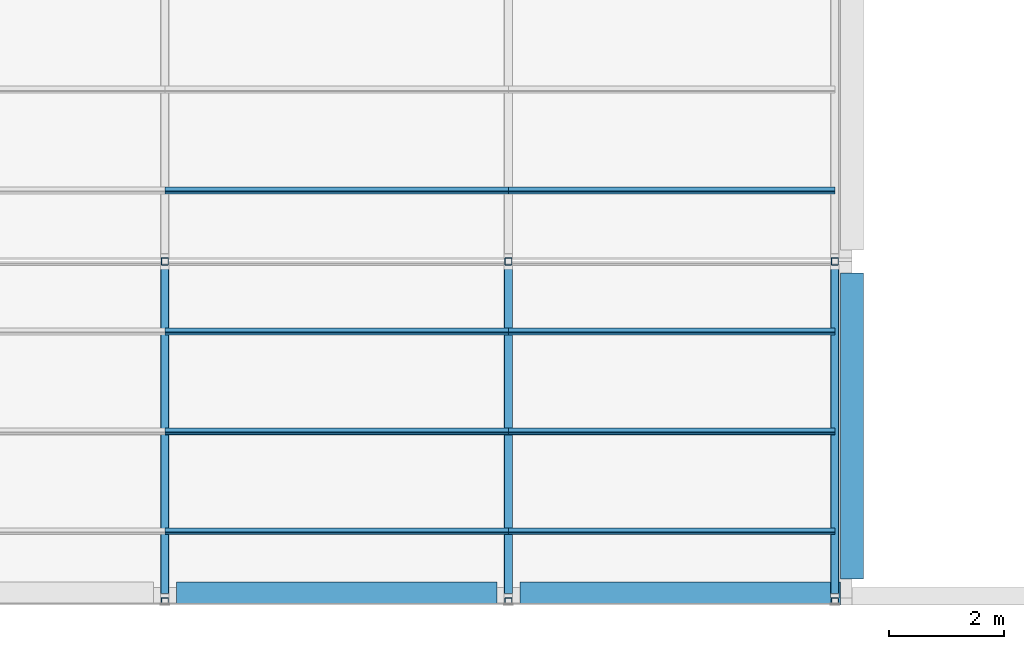
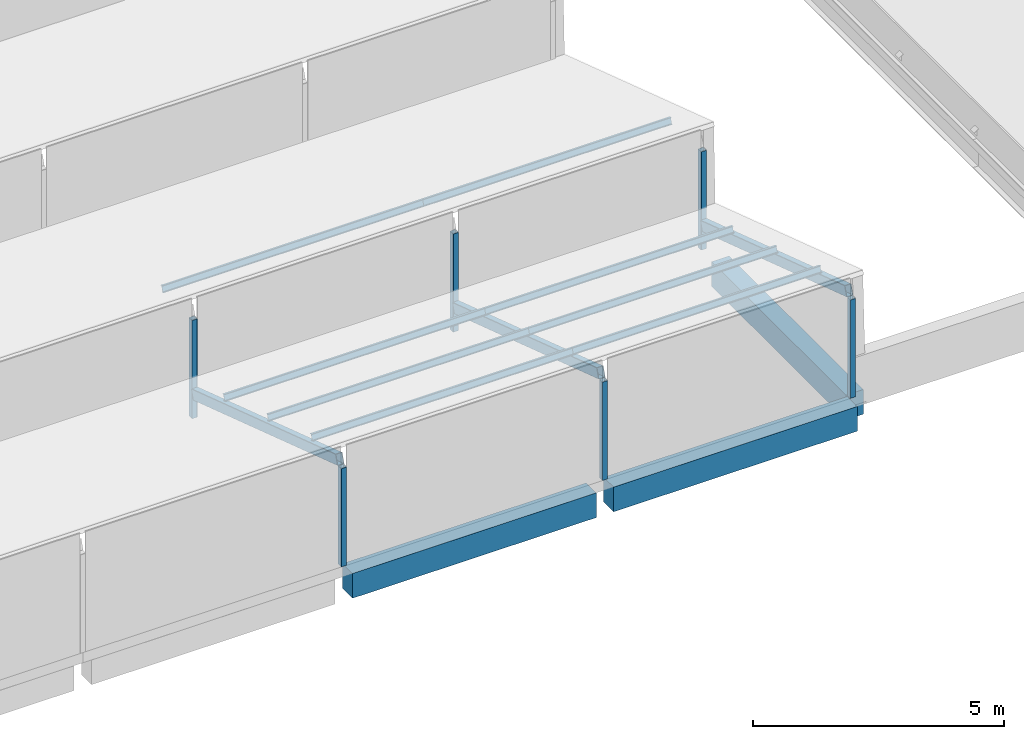
# One storey, part 7 of 118: 17 members, 3 beams.
"""IFC4 building model written with IfcOpenShell, lengths in metres."""

from ifc_helpers import new_model, si_unit, direction, frame, origin, origin_2d, place, context, subcontext, project, spatial, rectangle, hollow_rectangle, i_section, extrude, material, material_profile, profile_set, type_object, element, save


model = new_model("IFC4")

# Units and contexts
model_context = context("Model", 3, precision=1e-05, world=origin(), true_north=direction((0.0, 1.0)))
body_context = subcontext(model_context, "Body", "Model", "MODEL_VIEW")
ifc_project = project(units=[si_unit("LENGTHUNIT", "METRE"), si_unit("AREAUNIT", "SQUARE_METRE"), si_unit("VOLUMEUNIT", "CUBIC_METRE"), si_unit("PLANEANGLEUNIT", "RADIAN"), si_unit("MASSUNIT", "GRAM", prefix="KILO")], contexts=[model_context])

# Site, building, storey
site_placement = place(None, origin())
site = spatial("IfcSite", under=ifc_project, at=site_placement, CompositionType="ELEMENT")
building_placement = place(site_placement, origin())
building = spatial("IfcBuilding", under=site, at=building_placement, Name="Saffron Lane Theatres", CompositionType="ELEMENT")
storey_placement = place(building_placement, frame((0.0, 0.0, 16.5)))
storey = spatial("IfcBuildingStorey", under=building, at=storey_placement, Name="L03", CompositionType="ELEMENT", Elevation=16.5)

# Beams
ifc_material_1 = material(Name="Concrete N40 (40 MPa)", Category="concrete")
ifc_material_profile_1 = material_profile(ifc_material_1, rectangle(XDim=0.39990234375, YDim=0.60009765625, at=origin_2d()))
ifc_profile_set_1 = profile_set([ifc_material_profile_1], Name="Concrete N40 (40 MPa)")
beam_type = type_object("IfcBeamType", Name="RC-BEAM 400x600", PredefinedType="BEAM", material=ifc_profile_set_1)
for number, where, z_axis, x_axis, name in (
    (1, (18.199951171875, 0.200439453125, -0.300048828125), (1.0, 0.0, 0.0), (0.0, 1.0, 0.0), "beam-eaves-x0-184"),
    (2, (24.199951171875, 0.200439453125, -0.300048828125), (1.0, 0.0, 0.0), (0.0, 1.0, 0.0), "beam-eaves-x0-244"),
):
    element("IfcBeam", number, at=place(storey_placement, frame(where, z_axis=z_axis, x_axis=x_axis)), inside=storey, type_object=beam_type, Name=name, PredefinedType="BEAM", context=body_context, shape_type="SweptSolid", body=[
        extrude(rectangle(XDim=0.39990234375, YDim=0.60009765625, at=origin_2d()), origin(), (0.0, 0.0, 1.0), 5.60009765625),
    ])
beam_placement = place(storey_placement, frame((30.0, 0.450439453125, -0.300048828125), z_axis=(0.0, 1.0, 0.0), x_axis=(-1.0, 0.0, 0.0)))
element("IfcBeam", 3, at=beam_placement, inside=storey, type_object=beam_type, Name="beam-eaves-y300-305", PredefinedType="BEAM", context=body_context, shape_type="SweptSolid", body=[
    extrude(rectangle(XDim=0.39990234375, YDim=0.60009765625, at=origin_2d()), origin(), (0.0, 0.0, 1.0), 5.349609375),
])

# Members
ifc_material_2 = material(Name="Steel Grade 350", Category="steel")
ifc_material_profile_2 = material_profile(ifc_material_2, hollow_rectangle(XDim=0.125, YDim=0.125, WallThickness=0.006103515625, InnerFilletRadius=0.0029296875, OuterFilletRadius=0.009033203125, at=origin_2d()))
ifc_profile_set_2 = profile_set([ifc_material_profile_2], Name="Steel Grade 350")
member_type_1 = type_object("IfcMemberType", Name="ST-STUDIO POST 125x125x6 SHS", PredefinedType="POST", material=ifc_profile_set_2)
for number, where, z_axis, x_axis, name in (
    (4, (18.0, 0.0625, 0.25), (0.0, 0.0, 1.0), (1.0, 0.0, 0.0), "GBP18"),
    (5, (18.0, 6.0, 0.25), (0.0, 0.0, 1.0), (1.0, 0.0, 0.0), "GBP20"),
    (6, (24.0, 0.0625, 0.25), (0.0, 0.0, 1.0), (1.0, 0.0, 0.0), "GBP26"),
    (7, (24.0, 6.0, 0.25), (0.0, 0.0, 1.0), (1.0, 0.0, 0.0), "GBP28"),
    (8, (29.699951171875, 0.0625, 0.25), (0.0, 0.0, 1.0), (1.0, 0.0, 0.0), "GBP34"),
    (9, (29.699951171875, 6.0, 0.25), (0.0, 0.0, 1.0), (1.0, 0.0, 0.0), "GBP36"),
):
    element("IfcMember", number, at=place(storey_placement, frame(where, z_axis=z_axis, x_axis=x_axis)), inside=storey, type_object=member_type_1, Name=name, PredefinedType="POST", context=body_context, shape_type="SweptSolid", body=[
        extrude(hollow_rectangle(XDim=0.125, YDim=0.125, WallThickness=0.006103515625, InnerFilletRadius=0.0029296875, OuterFilletRadius=0.009033203125, at=origin_2d()), origin(), (0.0, 0.0, 1.0), 2.388671875),
    ])
ifc_material_3 = material(Name="Steel Grade 350", Category="steel")
ifc_material_profile_3 = material_profile(ifc_material_3, i_section(OverallWidth=0.074951171875, OverallDepth=0.155029296875, WebThickness=0.006103515625, FlangeThickness=0.009521484375, FilletRadius=0.008056640625, at=origin_2d()))
ifc_profile_set_3 = profile_set([ifc_material_profile_3], Name="Steel Grade 350")
member_type_2 = type_object("IfcMemberType", Name="ST-STUDIO PURLIN 150UB18.0", PredefinedType="PURLIN", material=ifc_profile_set_3)
member_1_placement = place(storey_placement, frame((18.0, 1.28759765625, 2.60009765625), z_axis=(1.0, 0.0, 0.0), x_axis=(0.0, 0.949628648787, -0.313377455162)))
element("IfcMember", 10, at=member_1_placement, inside=storey, type_object=member_type_2, Name="GBU43", PredefinedType="PURLIN", context=body_context, shape_type="SweptSolid", body=[
    extrude(i_section(OverallWidth=0.074951171875, OverallDepth=0.155029296875, WebThickness=0.006103515625, FlangeThickness=0.009521484375, FilletRadius=0.008056640625, at=origin_2d()), origin(), (0.0, 0.0, 1.0), 6.0),
])
member_2_placement = place(storey_placement, frame((24.0, 1.28759765625, 2.60009765625), z_axis=(1.0, 0.0, 0.0), x_axis=(0.0, 0.949628648787, -0.313377455162)))
element("IfcMember", 11, at=member_2_placement, inside=storey, type_object=member_type_2, Name="GBU44", PredefinedType="PURLIN", context=body_context, shape_type="SweptSolid", body=[
    extrude(i_section(OverallWidth=0.074951171875, OverallDepth=0.155029296875, WebThickness=0.006103515625, FlangeThickness=0.009521484375, FilletRadius=0.008056640625, at=origin_2d()), origin(), (0.0, 0.0, 1.0), 5.699951171875),
])
member_3_placement = place(storey_placement, frame((18.0, 3.03125, 2.024658203125), z_axis=(1.0, 0.0, 0.0), x_axis=(0.0, 0.949628648787, -0.313377455162)))
element("IfcMember", 12, at=member_3_placement, inside=storey, type_object=member_type_2, Name="GBU47", PredefinedType="PURLIN", context=body_context, shape_type="SweptSolid", body=[
    extrude(i_section(OverallWidth=0.074951171875, OverallDepth=0.155029296875, WebThickness=0.006103515625, FlangeThickness=0.009521484375, FilletRadius=0.008056640625, at=origin_2d()), origin(), (0.0, 0.0, 1.0), 6.0),
])
member_4_placement = place(storey_placement, frame((24.0, 3.03125, 2.024658203125), z_axis=(1.0, 0.0, 0.0), x_axis=(0.0, 0.949628648787, -0.313377455162)))
element("IfcMember", 13, at=member_4_placement, inside=storey, type_object=member_type_2, Name="GBU48", PredefinedType="PURLIN", context=body_context, shape_type="SweptSolid", body=[
    extrude(i_section(OverallWidth=0.074951171875, OverallDepth=0.155029296875, WebThickness=0.006103515625, FlangeThickness=0.009521484375, FilletRadius=0.008056640625, at=origin_2d()), origin(), (0.0, 0.0, 1.0), 5.699951171875),
])
member_5_placement = place(storey_placement, frame((18.0, 4.77490234375, 1.44921875), z_axis=(1.0, 0.0, 0.0), x_axis=(0.0, 0.949628648787, -0.313377455162)))
element("IfcMember", 14, at=member_5_placement, inside=storey, type_object=member_type_2, Name="GBU51", PredefinedType="PURLIN", context=body_context, shape_type="SweptSolid", body=[
    extrude(i_section(OverallWidth=0.074951171875, OverallDepth=0.155029296875, WebThickness=0.006103515625, FlangeThickness=0.009521484375, FilletRadius=0.008056640625, at=origin_2d()), origin(), (0.0, 0.0, 1.0), 6.0),
])
member_6_placement = place(storey_placement, frame((24.0, 4.77490234375, 1.44921875), z_axis=(1.0, 0.0, 0.0), x_axis=(0.0, 0.949628648787, -0.313377455162)))
element("IfcMember", 15, at=member_6_placement, inside=storey, type_object=member_type_2, Name="GBU52", PredefinedType="PURLIN", context=body_context, shape_type="SweptSolid", body=[
    extrude(i_section(OverallWidth=0.074951171875, OverallDepth=0.155029296875, WebThickness=0.006103515625, FlangeThickness=0.009521484375, FilletRadius=0.008056640625, at=origin_2d()), origin(), (0.0, 0.0, 1.0), 5.699951171875),
])
member_7_placement = place(storey_placement, frame((18.0, 7.237548828125, 2.595947265625), z_axis=(1.0, 0.0, 0.0), x_axis=(0.0, 0.949628648787, -0.313377455162)))
element("IfcMember", 16, at=member_7_placement, inside=storey, type_object=member_type_2, Name="GBU55", PredefinedType="PURLIN", context=body_context, shape_type="SweptSolid", body=[
    extrude(i_section(OverallWidth=0.074951171875, OverallDepth=0.155029296875, WebThickness=0.006103515625, FlangeThickness=0.009521484375, FilletRadius=0.008056640625, at=origin_2d()), origin(), (0.0, 0.0, 1.0), 6.0),
])
member_8_placement = place(storey_placement, frame((24.0, 7.237548828125, 2.595947265625), z_axis=(1.0, 0.0, 0.0), x_axis=(0.0, 0.949628648787, -0.313377455162)))
element("IfcMember", 17, at=member_8_placement, inside=storey, type_object=member_type_2, Name="GBU56", PredefinedType="PURLIN", context=body_context, shape_type="SweptSolid", body=[
    extrude(i_section(OverallWidth=0.074951171875, OverallDepth=0.155029296875, WebThickness=0.006103515625, FlangeThickness=0.009521484375, FilletRadius=0.008056640625, at=origin_2d()), origin(), (0.0, 0.0, 1.0), 5.699951171875),
])
ifc_material_4 = material(Name="Steel Grade 350", Category="steel")
ifc_material_profile_4 = material_profile(ifc_material_4, hollow_rectangle(XDim=0.14990234375, YDim=0.25, WallThickness=0.009033203125, InnerFilletRadius=0.00439453125, OuterFilletRadius=0.013427734375, at=origin_2d()))
ifc_profile_set_4 = profile_set([ifc_material_profile_4], Name="Steel Grade 350")
member_type_3 = type_object("IfcMemberType", Name="ST-STUDIO TRUSS CHORD 250x150x9 RHS", PredefinedType="CHORD", material=ifc_profile_set_4)
for number, where, z_axis, x_axis, name in (
    (18, (18.0, 0.1640625, 2.757568359375), (0.0, 0.949629130372, -0.313375995807), (-1.0, 0.0, 0.0), "GBC19"),
    (19, (24.0, 0.1640625, 2.757568359375), (0.0, 0.949629130372, -0.313375995807), (-1.0, 0.0, 0.0), "GBC27"),
    (20, (29.699951171875, 0.1640625, 2.757568359375), (0.0, 0.949629130372, -0.313375995807), (-1.0, 0.0, 0.0), "GBC35"),
):
    element("IfcMember", number, at=place(storey_placement, frame(where, z_axis=z_axis, x_axis=x_axis)), inside=storey, type_object=member_type_3, Name=name, PredefinedType="CHORD", context=body_context, shape_type="SweptSolid", body=[
        extrude(hollow_rectangle(XDim=0.14990234375, YDim=0.25, WallThickness=0.009033203125, InnerFilletRadius=0.00439453125, OuterFilletRadius=0.013427734375, at=origin_2d()), origin(), (0.0, 0.0, 1.0), 6.03857421875),
    ])

save(model, "model.ifc")
